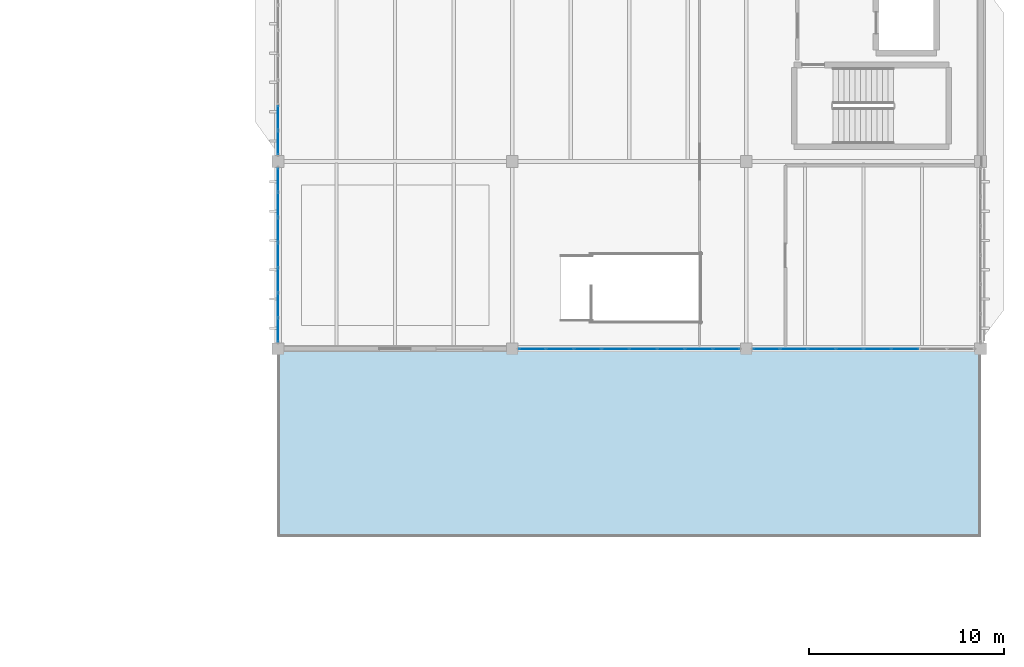
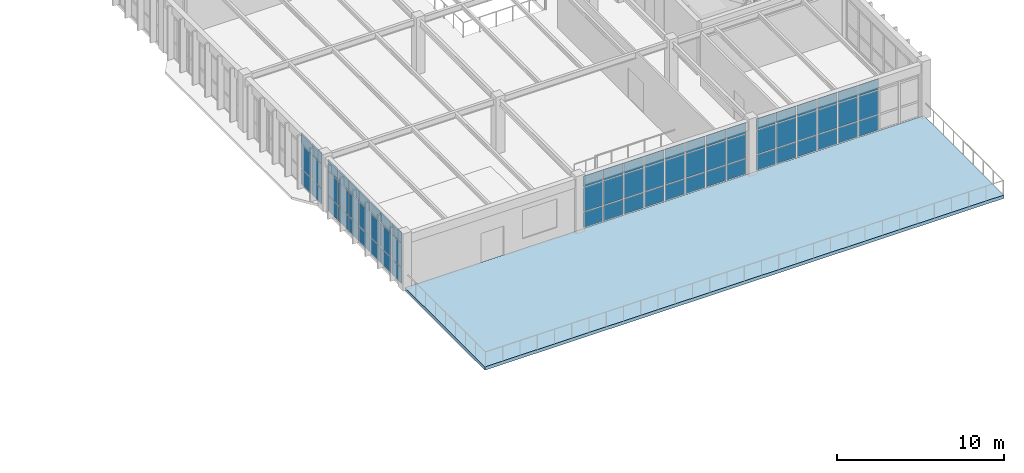
# One storey, part 63 of 83: 69 plates, 1 slab, 4 elements without a shape of their own.
"""IFC4 building model written with IfcOpenShell, lengths in metres."""

from ifc_helpers import new_model, si_unit, direction, frame, origin, origin_2d, place, context, subcontext, project, spatial, polyline, rectangle, outline, extrude, material, layer, layer_set, type_object, element, aggregate, save


model = new_model("IFC4")

# Units and contexts
model_context = context("Model", 3, precision=1e-05, world=origin(), true_north=direction((0.0, 1.0)))
body_context = subcontext(model_context, "Body", "Model", "MODEL_VIEW")
ifc_project = project(units=[si_unit("LENGTHUNIT", "METRE"), si_unit("AREAUNIT", "SQUARE_METRE"), si_unit("VOLUMEUNIT", "CUBIC_METRE"), si_unit("PLANEANGLEUNIT", "RADIAN"), si_unit("MASSUNIT", "GRAM", prefix="KILO")], contexts=[model_context])

# Site, building, storey
site_placement = place(None, origin())
site = spatial("IfcSite", under=ifc_project, at=site_placement, CompositionType="ELEMENT")
building_placement = place(site_placement, origin())
building = spatial("IfcBuilding", under=site, at=building_placement, Name="Pandanus Reach Market Hall", CompositionType="ELEMENT")
storey_placement = place(building_placement, frame((0.0, 0.0, 10.199951171875)))
storey = spatial("IfcBuildingStorey", under=building, at=storey_placement, Name="L02", CompositionType="ELEMENT", Elevation=10.199951171875)

# Curtain wall, plates
ifc_material_1 = material(Name="Bronze anodised aluminium and low-E glass", Category="aluminium")
ifc_layer_1 = layer(ifc_material_1, 0.159912109375, Name="CW-30")
ifc_layer_set_1 = layer_set([ifc_layer_1], Name="Bronze anodised aluminium and low-E glass")
curtain_wall_type_1 = type_object("IfcCurtainWallType", Name="CW-30", PredefinedType="NOTDEFINED", material=ifc_layer_set_1)
curtain_wall_1_placement = place(storey_placement, origin())
curtain_wall_1 = element("IfcCurtainWall", 1, at=curtain_wall_1_placement, inside=storey, type_object=curtain_wall_type_1, Name="Glazed curtain wall CW-30 CW-0100", PredefinedType="NOTDEFINED")
ifc_material_2 = material(Name="Solar-control double glazing", Category="glass")
ifc_layer_2 = layer(ifc_material_2, 0.028076171875, Name="CW-P1")
ifc_layer_set_2 = layer_set([ifc_layer_2], Name="Solar-control double glazing")
plate_type = type_object("IfcPlateType", Name="CW-P1", PredefinedType="CURTAIN_PANEL", material=ifc_layer_set_2)
plate_1_placement = place(storey_placement, frame((157.02880859375, 19.199951171875, 0.06494140625), z_axis=(0.0, 0.0, 1.0), x_axis=(1.0, 0.0, 0.0)))
plate_1 = element("IfcPlate", 2, at=plate_1_placement, type_object=plate_type, Name="CW-30 panel 1.1", PredefinedType="CURTAIN_PANEL", context=body_context, shape_type="SweptSolid", body=[
    extrude(rectangle(XDim=1.327392578125, YDim=0.028076171875, at=origin_2d()), origin(), (0.0, 0.0, 1.0), 1.1025390625),
])
plate_2_placement = place(storey_placement, frame((157.02880859375, 19.199951171875, 1.232421875), z_axis=(0.0, 0.0, 1.0), x_axis=(1.0, 0.0, 0.0)))
plate_2 = element("IfcPlate", 3, at=plate_2_placement, type_object=plate_type, Name="CW-30 panel 1.2", PredefinedType="CURTAIN_PANEL", context=body_context, shape_type="SweptSolid", body=[
    extrude(rectangle(XDim=1.327392578125, YDim=0.028076171875, at=origin_2d()), origin(), (0.0, 0.0, 1.0), 1.735107421875),
])
plate_3_placement = place(storey_placement, frame((157.02880859375, 19.199951171875, 3.03271484375), z_axis=(0.0, 0.0, 1.0), x_axis=(1.0, 0.0, 0.0)))
plate_3 = element("IfcPlate", 4, at=plate_3_placement, type_object=plate_type, Name="CW-30 panel 1.3", PredefinedType="CURTAIN_PANEL", context=body_context, shape_type="SweptSolid", body=[
    extrude(rectangle(XDim=1.327392578125, YDim=0.028076171875, at=origin_2d()), origin(), (0.0, 0.0, 1.0), 0.802490234375),
])
plate_4_placement = place(storey_placement, frame((158.4375, 19.199951171875, 0.06494140625), z_axis=(0.0, 0.0, 1.0), x_axis=(1.0, 0.0, 0.0)))
plate_4 = element("IfcPlate", 5, at=plate_4_placement, type_object=plate_type, Name="CW-30 panel 2.1", PredefinedType="CURTAIN_PANEL", context=body_context, shape_type="SweptSolid", body=[
    extrude(rectangle(XDim=1.360107421875, YDim=0.028076171875, at=origin_2d()), origin(), (0.0, 0.0, 1.0), 1.1025390625),
])
plate_5_placement = place(storey_placement, frame((158.4375, 19.199951171875, 1.232421875), z_axis=(0.0, 0.0, 1.0), x_axis=(1.0, 0.0, 0.0)))
plate_5 = element("IfcPlate", 6, at=plate_5_placement, type_object=plate_type, Name="CW-30 panel 2.2", PredefinedType="CURTAIN_PANEL", context=body_context, shape_type="SweptSolid", body=[
    extrude(rectangle(XDim=1.360107421875, YDim=0.028076171875, at=origin_2d()), origin(), (0.0, 0.0, 1.0), 1.735107421875),
])
plate_6_placement = place(storey_placement, frame((158.4375, 19.199951171875, 3.03271484375), z_axis=(0.0, 0.0, 1.0), x_axis=(1.0, 0.0, 0.0)))
plate_6 = element("IfcPlate", 7, at=plate_6_placement, type_object=plate_type, Name="CW-30 panel 2.3", PredefinedType="CURTAIN_PANEL", context=body_context, shape_type="SweptSolid", body=[
    extrude(rectangle(XDim=1.360107421875, YDim=0.028076171875, at=origin_2d()), origin(), (0.0, 0.0, 1.0), 0.802490234375),
])
plate_7_placement = place(storey_placement, frame((159.862548828125, 19.199951171875, 0.06494140625), z_axis=(0.0, 0.0, 1.0), x_axis=(1.0, 0.0, 0.0)))
plate_7 = element("IfcPlate", 8, at=plate_7_placement, type_object=plate_type, Name="CW-30 panel 3.1", PredefinedType="CURTAIN_PANEL", context=body_context, shape_type="SweptSolid", body=[
    extrude(rectangle(XDim=1.360107421875, YDim=0.028076171875, at=origin_2d()), origin(), (0.0, 0.0, 1.0), 1.1025390625),
])
plate_8_placement = place(storey_placement, frame((159.862548828125, 19.199951171875, 1.232421875), z_axis=(0.0, 0.0, 1.0), x_axis=(1.0, 0.0, 0.0)))
plate_8 = element("IfcPlate", 9, at=plate_8_placement, type_object=plate_type, Name="CW-30 panel 3.2", PredefinedType="CURTAIN_PANEL", context=body_context, shape_type="SweptSolid", body=[
    extrude(rectangle(XDim=1.360107421875, YDim=0.028076171875, at=origin_2d()), origin(), (0.0, 0.0, 1.0), 1.735107421875),
])
plate_9_placement = place(storey_placement, frame((159.862548828125, 19.199951171875, 3.03271484375), z_axis=(0.0, 0.0, 1.0), x_axis=(1.0, 0.0, 0.0)))
plate_9 = element("IfcPlate", 10, at=plate_9_placement, type_object=plate_type, Name="CW-30 panel 3.3", PredefinedType="CURTAIN_PANEL", context=body_context, shape_type="SweptSolid", body=[
    extrude(rectangle(XDim=1.360107421875, YDim=0.028076171875, at=origin_2d()), origin(), (0.0, 0.0, 1.0), 0.802490234375),
])
plate_10_placement = place(storey_placement, frame((161.28759765625, 19.199951171875, 0.06494140625), z_axis=(0.0, 0.0, 1.0), x_axis=(1.0, 0.0, 0.0)))
plate_10 = element("IfcPlate", 11, at=plate_10_placement, type_object=plate_type, Name="CW-30 panel 4.1", PredefinedType="CURTAIN_PANEL", context=body_context, shape_type="SweptSolid", body=[
    extrude(rectangle(XDim=1.360107421875, YDim=0.028076171875, at=origin_2d()), origin(), (0.0, 0.0, 1.0), 1.1025390625),
])
plate_11_placement = place(storey_placement, frame((161.28759765625, 19.199951171875, 1.232421875), z_axis=(0.0, 0.0, 1.0), x_axis=(1.0, 0.0, 0.0)))
plate_11 = element("IfcPlate", 12, at=plate_11_placement, type_object=plate_type, Name="CW-30 panel 4.2", PredefinedType="CURTAIN_PANEL", context=body_context, shape_type="SweptSolid", body=[
    extrude(rectangle(XDim=1.360107421875, YDim=0.028076171875, at=origin_2d()), origin(), (0.0, 0.0, 1.0), 1.735107421875),
])
plate_12_placement = place(storey_placement, frame((161.28759765625, 19.199951171875, 3.03271484375), z_axis=(0.0, 0.0, 1.0), x_axis=(1.0, 0.0, 0.0)))
plate_12 = element("IfcPlate", 13, at=plate_12_placement, type_object=plate_type, Name="CW-30 panel 4.3", PredefinedType="CURTAIN_PANEL", context=body_context, shape_type="SweptSolid", body=[
    extrude(rectangle(XDim=1.360107421875, YDim=0.028076171875, at=origin_2d()), origin(), (0.0, 0.0, 1.0), 0.802490234375),
])
plate_13_placement = place(storey_placement, frame((162.71240234375, 19.199951171875, 0.06494140625), z_axis=(0.0, 0.0, 1.0), x_axis=(1.0, 0.0, 0.0)))
plate_13 = element("IfcPlate", 14, at=plate_13_placement, type_object=plate_type, Name="CW-30 panel 5.1", PredefinedType="CURTAIN_PANEL", context=body_context, shape_type="SweptSolid", body=[
    extrude(rectangle(XDim=1.360107421875, YDim=0.028076171875, at=origin_2d()), origin(), (0.0, 0.0, 1.0), 1.1025390625),
])
plate_14_placement = place(storey_placement, frame((162.71240234375, 19.199951171875, 1.232421875), z_axis=(0.0, 0.0, 1.0), x_axis=(1.0, 0.0, 0.0)))
plate_14 = element("IfcPlate", 15, at=plate_14_placement, type_object=plate_type, Name="CW-30 panel 5.2", PredefinedType="CURTAIN_PANEL", context=body_context, shape_type="SweptSolid", body=[
    extrude(rectangle(XDim=1.360107421875, YDim=0.028076171875, at=origin_2d()), origin(), (0.0, 0.0, 1.0), 1.735107421875),
])
plate_15_placement = place(storey_placement, frame((162.71240234375, 19.199951171875, 3.03271484375), z_axis=(0.0, 0.0, 1.0), x_axis=(1.0, 0.0, 0.0)))
plate_15 = element("IfcPlate", 16, at=plate_15_placement, type_object=plate_type, Name="CW-30 panel 5.3", PredefinedType="CURTAIN_PANEL", context=body_context, shape_type="SweptSolid", body=[
    extrude(rectangle(XDim=1.360107421875, YDim=0.028076171875, at=origin_2d()), origin(), (0.0, 0.0, 1.0), 0.802490234375),
])
plate_16_placement = place(storey_placement, frame((164.137451171875, 19.199951171875, 0.06494140625), z_axis=(0.0, 0.0, 1.0), x_axis=(1.0, 0.0, 0.0)))
plate_16 = element("IfcPlate", 17, at=plate_16_placement, type_object=plate_type, Name="CW-30 panel 6.1", PredefinedType="CURTAIN_PANEL", context=body_context, shape_type="SweptSolid", body=[
    extrude(rectangle(XDim=1.360107421875, YDim=0.028076171875, at=origin_2d()), origin(), (0.0, 0.0, 1.0), 1.1025390625),
])
plate_17_placement = place(storey_placement, frame((164.137451171875, 19.199951171875, 1.232421875), z_axis=(0.0, 0.0, 1.0), x_axis=(1.0, 0.0, 0.0)))
plate_17 = element("IfcPlate", 18, at=plate_17_placement, type_object=plate_type, Name="CW-30 panel 6.2", PredefinedType="CURTAIN_PANEL", context=body_context, shape_type="SweptSolid", body=[
    extrude(rectangle(XDim=1.360107421875, YDim=0.028076171875, at=origin_2d()), origin(), (0.0, 0.0, 1.0), 1.735107421875),
])
plate_18_placement = place(storey_placement, frame((164.137451171875, 19.199951171875, 3.03271484375), z_axis=(0.0, 0.0, 1.0), x_axis=(1.0, 0.0, 0.0)))
plate_18 = element("IfcPlate", 19, at=plate_18_placement, type_object=plate_type, Name="CW-30 panel 6.3", PredefinedType="CURTAIN_PANEL", context=body_context, shape_type="SweptSolid", body=[
    extrude(rectangle(XDim=1.360107421875, YDim=0.028076171875, at=origin_2d()), origin(), (0.0, 0.0, 1.0), 0.802490234375),
])
plate_19_placement = place(storey_placement, frame((165.5625, 19.199951171875, 0.06494140625), z_axis=(0.0, 0.0, 1.0), x_axis=(1.0, 0.0, 0.0)))
plate_19 = element("IfcPlate", 20, at=plate_19_placement, type_object=plate_type, Name="CW-30 panel 7.1", PredefinedType="CURTAIN_PANEL", context=body_context, shape_type="SweptSolid", body=[
    extrude(rectangle(XDim=1.360107421875, YDim=0.028076171875, at=origin_2d()), origin(), (0.0, 0.0, 1.0), 1.1025390625),
])
plate_20_placement = place(storey_placement, frame((165.5625, 19.199951171875, 1.232421875), z_axis=(0.0, 0.0, 1.0), x_axis=(1.0, 0.0, 0.0)))
plate_20 = element("IfcPlate", 21, at=plate_20_placement, type_object=plate_type, Name="CW-30 panel 7.2", PredefinedType="CURTAIN_PANEL", context=body_context, shape_type="SweptSolid", body=[
    extrude(rectangle(XDim=1.360107421875, YDim=0.028076171875, at=origin_2d()), origin(), (0.0, 0.0, 1.0), 1.735107421875),
])
plate_21_placement = place(storey_placement, frame((165.5625, 19.199951171875, 3.03271484375), z_axis=(0.0, 0.0, 1.0), x_axis=(1.0, 0.0, 0.0)))
plate_21 = element("IfcPlate", 22, at=plate_21_placement, type_object=plate_type, Name="CW-30 panel 7.3", PredefinedType="CURTAIN_PANEL", context=body_context, shape_type="SweptSolid", body=[
    extrude(rectangle(XDim=1.360107421875, YDim=0.028076171875, at=origin_2d()), origin(), (0.0, 0.0, 1.0), 0.802490234375),
])
plate_22_placement = place(storey_placement, frame((166.97119140625, 19.199951171875, 0.06494140625), z_axis=(0.0, 0.0, 1.0), x_axis=(1.0, 0.0, 0.0)))
plate_22 = element("IfcPlate", 23, at=plate_22_placement, type_object=plate_type, Name="CW-30 panel 8.1", PredefinedType="CURTAIN_PANEL", context=body_context, shape_type="SweptSolid", body=[
    extrude(rectangle(XDim=1.327392578125, YDim=0.028076171875, at=origin_2d()), origin(), (0.0, 0.0, 1.0), 1.1025390625),
])
plate_23_placement = place(storey_placement, frame((166.97119140625, 19.199951171875, 1.232421875), z_axis=(0.0, 0.0, 1.0), x_axis=(1.0, 0.0, 0.0)))
plate_23 = element("IfcPlate", 24, at=plate_23_placement, type_object=plate_type, Name="CW-30 panel 8.2", PredefinedType="CURTAIN_PANEL", context=body_context, shape_type="SweptSolid", body=[
    extrude(rectangle(XDim=1.327392578125, YDim=0.028076171875, at=origin_2d()), origin(), (0.0, 0.0, 1.0), 1.735107421875),
])
plate_24_placement = place(storey_placement, frame((166.97119140625, 19.199951171875, 3.03271484375), z_axis=(0.0, 0.0, 1.0), x_axis=(1.0, 0.0, 0.0)))
plate_24 = element("IfcPlate", 25, at=plate_24_placement, type_object=plate_type, Name="CW-30 panel 8.3", PredefinedType="CURTAIN_PANEL", context=body_context, shape_type="SweptSolid", body=[
    extrude(rectangle(XDim=1.327392578125, YDim=0.028076171875, at=origin_2d()), origin(), (0.0, 0.0, 1.0), 0.802490234375),
])
aggregate(curtain_wall_1, [plate_1, plate_2, plate_3, plate_4, plate_5, plate_6, plate_7, plate_8, plate_9, plate_10, plate_11, plate_12, plate_13, plate_14, plate_15, plate_16, plate_17, plate_18, plate_19, plate_20, plate_21, plate_22, plate_23, plate_24])

curtain_wall_2_placement = place(storey_placement, origin())
curtain_wall_2 = element("IfcCurtainWall", 26, at=curtain_wall_2_placement, inside=storey, type_object=curtain_wall_type_1, Name="Glazed curtain wall CW-30 CW-0101", PredefinedType="NOTDEFINED")
plate_25_placement = place(storey_placement, frame((169.02880859375, 19.199951171875, 0.06494140625), z_axis=(0.0, 0.0, 1.0), x_axis=(1.0, 0.0, 0.0)))
plate_25 = element("IfcPlate", 27, at=plate_25_placement, type_object=plate_type, Name="CW-30 panel 1.1", PredefinedType="CURTAIN_PANEL", context=body_context, shape_type="SweptSolid", body=[
    extrude(rectangle(XDim=1.327392578125, YDim=0.028076171875, at=origin_2d()), origin(), (0.0, 0.0, 1.0), 1.1025390625),
])
plate_26_placement = place(storey_placement, frame((169.02880859375, 19.199951171875, 1.232421875), z_axis=(0.0, 0.0, 1.0), x_axis=(1.0, 0.0, 0.0)))
plate_26 = element("IfcPlate", 28, at=plate_26_placement, type_object=plate_type, Name="CW-30 panel 1.2", PredefinedType="CURTAIN_PANEL", context=body_context, shape_type="SweptSolid", body=[
    extrude(rectangle(XDim=1.327392578125, YDim=0.028076171875, at=origin_2d()), origin(), (0.0, 0.0, 1.0), 1.735107421875),
])
plate_27_placement = place(storey_placement, frame((169.02880859375, 19.199951171875, 3.03271484375), z_axis=(0.0, 0.0, 1.0), x_axis=(1.0, 0.0, 0.0)))
plate_27 = element("IfcPlate", 29, at=plate_27_placement, type_object=plate_type, Name="CW-30 panel 1.3", PredefinedType="CURTAIN_PANEL", context=body_context, shape_type="SweptSolid", body=[
    extrude(rectangle(XDim=1.327392578125, YDim=0.028076171875, at=origin_2d()), origin(), (0.0, 0.0, 1.0), 0.802490234375),
])
plate_28_placement = place(storey_placement, frame((170.4375, 19.199951171875, 0.06494140625), z_axis=(0.0, 0.0, 1.0), x_axis=(1.0, 0.0, 0.0)))
plate_28 = element("IfcPlate", 30, at=plate_28_placement, type_object=plate_type, Name="CW-30 panel 2.1", PredefinedType="CURTAIN_PANEL", context=body_context, shape_type="SweptSolid", body=[
    extrude(rectangle(XDim=1.360107421875, YDim=0.028076171875, at=origin_2d()), origin(), (0.0, 0.0, 1.0), 1.1025390625),
])
plate_29_placement = place(storey_placement, frame((170.4375, 19.199951171875, 1.232421875), z_axis=(0.0, 0.0, 1.0), x_axis=(1.0, 0.0, 0.0)))
plate_29 = element("IfcPlate", 31, at=plate_29_placement, type_object=plate_type, Name="CW-30 panel 2.2", PredefinedType="CURTAIN_PANEL", context=body_context, shape_type="SweptSolid", body=[
    extrude(rectangle(XDim=1.360107421875, YDim=0.028076171875, at=origin_2d()), origin(), (0.0, 0.0, 1.0), 1.735107421875),
])
plate_30_placement = place(storey_placement, frame((170.4375, 19.199951171875, 3.03271484375), z_axis=(0.0, 0.0, 1.0), x_axis=(1.0, 0.0, 0.0)))
plate_30 = element("IfcPlate", 32, at=plate_30_placement, type_object=plate_type, Name="CW-30 panel 2.3", PredefinedType="CURTAIN_PANEL", context=body_context, shape_type="SweptSolid", body=[
    extrude(rectangle(XDim=1.360107421875, YDim=0.028076171875, at=origin_2d()), origin(), (0.0, 0.0, 1.0), 0.802490234375),
])
plate_31_placement = place(storey_placement, frame((171.862548828125, 19.199951171875, 0.06494140625), z_axis=(0.0, 0.0, 1.0), x_axis=(1.0, 0.0, 0.0)))
plate_31 = element("IfcPlate", 33, at=plate_31_placement, type_object=plate_type, Name="CW-30 panel 3.1", PredefinedType="CURTAIN_PANEL", context=body_context, shape_type="SweptSolid", body=[
    extrude(rectangle(XDim=1.360107421875, YDim=0.028076171875, at=origin_2d()), origin(), (0.0, 0.0, 1.0), 1.1025390625),
])
plate_32_placement = place(storey_placement, frame((171.862548828125, 19.199951171875, 1.232421875), z_axis=(0.0, 0.0, 1.0), x_axis=(1.0, 0.0, 0.0)))
plate_32 = element("IfcPlate", 34, at=plate_32_placement, type_object=plate_type, Name="CW-30 panel 3.2", PredefinedType="CURTAIN_PANEL", context=body_context, shape_type="SweptSolid", body=[
    extrude(rectangle(XDim=1.360107421875, YDim=0.028076171875, at=origin_2d()), origin(), (0.0, 0.0, 1.0), 1.735107421875),
])
plate_33_placement = place(storey_placement, frame((171.862548828125, 19.199951171875, 3.03271484375), z_axis=(0.0, 0.0, 1.0), x_axis=(1.0, 0.0, 0.0)))
plate_33 = element("IfcPlate", 35, at=plate_33_placement, type_object=plate_type, Name="CW-30 panel 3.3", PredefinedType="CURTAIN_PANEL", context=body_context, shape_type="SweptSolid", body=[
    extrude(rectangle(XDim=1.360107421875, YDim=0.028076171875, at=origin_2d()), origin(), (0.0, 0.0, 1.0), 0.802490234375),
])
plate_34_placement = place(storey_placement, frame((173.28759765625, 19.199951171875, 0.06494140625), z_axis=(0.0, 0.0, 1.0), x_axis=(1.0, 0.0, 0.0)))
plate_34 = element("IfcPlate", 36, at=plate_34_placement, type_object=plate_type, Name="CW-30 panel 4.1", PredefinedType="CURTAIN_PANEL", context=body_context, shape_type="SweptSolid", body=[
    extrude(rectangle(XDim=1.360107421875, YDim=0.028076171875, at=origin_2d()), origin(), (0.0, 0.0, 1.0), 1.1025390625),
])
plate_35_placement = place(storey_placement, frame((173.28759765625, 19.199951171875, 1.232421875), z_axis=(0.0, 0.0, 1.0), x_axis=(1.0, 0.0, 0.0)))
plate_35 = element("IfcPlate", 37, at=plate_35_placement, type_object=plate_type, Name="CW-30 panel 4.2", PredefinedType="CURTAIN_PANEL", context=body_context, shape_type="SweptSolid", body=[
    extrude(rectangle(XDim=1.360107421875, YDim=0.028076171875, at=origin_2d()), origin(), (0.0, 0.0, 1.0), 1.735107421875),
])
plate_36_placement = place(storey_placement, frame((173.28759765625, 19.199951171875, 3.03271484375), z_axis=(0.0, 0.0, 1.0), x_axis=(1.0, 0.0, 0.0)))
plate_36 = element("IfcPlate", 38, at=plate_36_placement, type_object=plate_type, Name="CW-30 panel 4.3", PredefinedType="CURTAIN_PANEL", context=body_context, shape_type="SweptSolid", body=[
    extrude(rectangle(XDim=1.360107421875, YDim=0.028076171875, at=origin_2d()), origin(), (0.0, 0.0, 1.0), 0.802490234375),
])
plate_37_placement = place(storey_placement, frame((174.71240234375, 19.199951171875, 0.06494140625), z_axis=(0.0, 0.0, 1.0), x_axis=(1.0, 0.0, 0.0)))
plate_37 = element("IfcPlate", 39, at=plate_37_placement, type_object=plate_type, Name="CW-30 panel 5.1", PredefinedType="CURTAIN_PANEL", context=body_context, shape_type="SweptSolid", body=[
    extrude(rectangle(XDim=1.360107421875, YDim=0.028076171875, at=origin_2d()), origin(), (0.0, 0.0, 1.0), 1.1025390625),
])
plate_38_placement = place(storey_placement, frame((174.71240234375, 19.199951171875, 1.232421875), z_axis=(0.0, 0.0, 1.0), x_axis=(1.0, 0.0, 0.0)))
plate_38 = element("IfcPlate", 40, at=plate_38_placement, type_object=plate_type, Name="CW-30 panel 5.2", PredefinedType="CURTAIN_PANEL", context=body_context, shape_type="SweptSolid", body=[
    extrude(rectangle(XDim=1.360107421875, YDim=0.028076171875, at=origin_2d()), origin(), (0.0, 0.0, 1.0), 1.735107421875),
])
plate_39_placement = place(storey_placement, frame((174.71240234375, 19.199951171875, 3.03271484375), z_axis=(0.0, 0.0, 1.0), x_axis=(1.0, 0.0, 0.0)))
plate_39 = element("IfcPlate", 41, at=plate_39_placement, type_object=plate_type, Name="CW-30 panel 5.3", PredefinedType="CURTAIN_PANEL", context=body_context, shape_type="SweptSolid", body=[
    extrude(rectangle(XDim=1.360107421875, YDim=0.028076171875, at=origin_2d()), origin(), (0.0, 0.0, 1.0), 0.802490234375),
])
plate_40_placement = place(storey_placement, frame((176.137451171875, 19.199951171875, 0.06494140625), z_axis=(0.0, 0.0, 1.0), x_axis=(1.0, 0.0, 0.0)))
plate_40 = element("IfcPlate", 42, at=plate_40_placement, type_object=plate_type, Name="CW-30 panel 6.1", PredefinedType="CURTAIN_PANEL", context=body_context, shape_type="SweptSolid", body=[
    extrude(rectangle(XDim=1.360107421875, YDim=0.028076171875, at=origin_2d()), origin(), (0.0, 0.0, 1.0), 1.1025390625),
])
plate_41_placement = place(storey_placement, frame((176.137451171875, 19.199951171875, 1.232421875), z_axis=(0.0, 0.0, 1.0), x_axis=(1.0, 0.0, 0.0)))
plate_41 = element("IfcPlate", 43, at=plate_41_placement, type_object=plate_type, Name="CW-30 panel 6.2", PredefinedType="CURTAIN_PANEL", context=body_context, shape_type="SweptSolid", body=[
    extrude(rectangle(XDim=1.360107421875, YDim=0.028076171875, at=origin_2d()), origin(), (0.0, 0.0, 1.0), 1.735107421875),
])
plate_42_placement = place(storey_placement, frame((176.137451171875, 19.199951171875, 3.03271484375), z_axis=(0.0, 0.0, 1.0), x_axis=(1.0, 0.0, 0.0)))
plate_42 = element("IfcPlate", 44, at=plate_42_placement, type_object=plate_type, Name="CW-30 panel 6.3", PredefinedType="CURTAIN_PANEL", context=body_context, shape_type="SweptSolid", body=[
    extrude(rectangle(XDim=1.360107421875, YDim=0.028076171875, at=origin_2d()), origin(), (0.0, 0.0, 1.0), 0.802490234375),
])
aggregate(curtain_wall_2, [plate_25, plate_26, plate_27, plate_28, plate_29, plate_30, plate_31, plate_32, plate_33, plate_34, plate_35, plate_36, plate_37, plate_38, plate_39, plate_40, plate_41, plate_42])

ifc_layer_3 = layer(ifc_material_1, 0.159912109375, Name="CW-33")
ifc_layer_set_3 = layer_set([ifc_layer_3], Name="Bronze anodised aluminium and low-E glass")
curtain_wall_type_2 = type_object("IfcCurtainWallType", Name="CW-33", PredefinedType="NOTDEFINED", material=ifc_layer_set_3)
curtain_wall_3_placement = place(storey_placement, origin())
curtain_wall_3 = element("IfcCurtainWall", 45, at=curtain_wall_3_placement, inside=storey, type_object=curtain_wall_type_2, Name="Glazed curtain wall CW-33 CW-0109", PredefinedType="NOTDEFINED")
plate_43_placement = place(storey_placement, frame((144.0, 20.1591796875, 0.06494140625), z_axis=(0.0, 0.0, 1.0), x_axis=(0.0, 1.0, 0.0)))
plate_43 = element("IfcPlate", 46, at=plate_43_placement, type_object=plate_type, Name="CW-33 panel 1.1", PredefinedType="CURTAIN_PANEL", context=body_context, shape_type="SweptSolid", body=[
    extrude(rectangle(XDim=1.188232421875, YDim=0.028076171875, at=origin_2d()), origin(), (0.0, 0.0, 1.0), 1.1025390625),
])
plate_44_placement = place(storey_placement, frame((144.0, 20.1591796875, 1.232421875), z_axis=(0.0, 0.0, 1.0), x_axis=(0.0, 1.0, 0.0)))
plate_44 = element("IfcPlate", 47, at=plate_44_placement, type_object=plate_type, Name="CW-33 panel 1.2", PredefinedType="CURTAIN_PANEL", context=body_context, shape_type="SweptSolid", body=[
    extrude(rectangle(XDim=1.188232421875, YDim=0.028076171875, at=origin_2d()), origin(), (0.0, 0.0, 1.0), 1.735107421875),
])
plate_45_placement = place(storey_placement, frame((144.0, 20.1591796875, 3.03271484375), z_axis=(0.0, 0.0, 1.0), x_axis=(0.0, 1.0, 0.0)))
plate_45 = element("IfcPlate", 48, at=plate_45_placement, type_object=plate_type, Name="CW-33 panel 1.3", PredefinedType="CURTAIN_PANEL", context=body_context, shape_type="SweptSolid", body=[
    extrude(rectangle(XDim=1.188232421875, YDim=0.028076171875, at=origin_2d()), origin(), (0.0, 0.0, 1.0), 0.802490234375),
])
plate_46_placement = place(storey_placement, frame((144.0, 21.428466796875, 0.06494140625), z_axis=(0.0, 0.0, 1.0), x_axis=(0.0, 1.0, 0.0)))
plate_46 = element("IfcPlate", 49, at=plate_46_placement, type_object=plate_type, Name="CW-33 panel 2.1", PredefinedType="CURTAIN_PANEL", context=body_context, shape_type="SweptSolid", body=[
    extrude(rectangle(XDim=1.220703125, YDim=0.028076171875, at=origin_2d()), origin(), (0.0, 0.0, 1.0), 1.1025390625),
])
plate_47_placement = place(storey_placement, frame((144.0, 21.428466796875, 1.232421875), z_axis=(0.0, 0.0, 1.0), x_axis=(0.0, 1.0, 0.0)))
plate_47 = element("IfcPlate", 50, at=plate_47_placement, type_object=plate_type, Name="CW-33 panel 2.2", PredefinedType="CURTAIN_PANEL", context=body_context, shape_type="SweptSolid", body=[
    extrude(rectangle(XDim=1.220703125, YDim=0.028076171875, at=origin_2d()), origin(), (0.0, 0.0, 1.0), 1.735107421875),
])
plate_48_placement = place(storey_placement, frame((144.0, 21.428466796875, 3.03271484375), z_axis=(0.0, 0.0, 1.0), x_axis=(0.0, 1.0, 0.0)))
plate_48 = element("IfcPlate", 51, at=plate_48_placement, type_object=plate_type, Name="CW-33 panel 2.3", PredefinedType="CURTAIN_PANEL", context=body_context, shape_type="SweptSolid", body=[
    extrude(rectangle(XDim=1.220703125, YDim=0.028076171875, at=origin_2d()), origin(), (0.0, 0.0, 1.0), 0.802490234375),
])
plate_49_placement = place(storey_placement, frame((144.0, 22.71435546875, 0.06494140625), z_axis=(0.0, 0.0, 1.0), x_axis=(0.0, 1.0, 0.0)))
plate_49 = element("IfcPlate", 52, at=plate_49_placement, type_object=plate_type, Name="CW-33 panel 3.1", PredefinedType="CURTAIN_PANEL", context=body_context, shape_type="SweptSolid", body=[
    extrude(rectangle(XDim=1.220703125, YDim=0.028076171875, at=origin_2d()), origin(), (0.0, 0.0, 1.0), 1.1025390625),
])
plate_50_placement = place(storey_placement, frame((144.0, 22.71435546875, 1.232421875), z_axis=(0.0, 0.0, 1.0), x_axis=(0.0, 1.0, 0.0)))
plate_50 = element("IfcPlate", 53, at=plate_50_placement, type_object=plate_type, Name="CW-33 panel 3.2", PredefinedType="CURTAIN_PANEL", context=body_context, shape_type="SweptSolid", body=[
    extrude(rectangle(XDim=1.220703125, YDim=0.028076171875, at=origin_2d()), origin(), (0.0, 0.0, 1.0), 1.735107421875),
])
plate_51_placement = place(storey_placement, frame((144.0, 22.71435546875, 3.03271484375), z_axis=(0.0, 0.0, 1.0), x_axis=(0.0, 1.0, 0.0)))
plate_51 = element("IfcPlate", 54, at=plate_51_placement, type_object=plate_type, Name="CW-33 panel 3.3", PredefinedType="CURTAIN_PANEL", context=body_context, shape_type="SweptSolid", body=[
    extrude(rectangle(XDim=1.220703125, YDim=0.028076171875, at=origin_2d()), origin(), (0.0, 0.0, 1.0), 0.802490234375),
])
plate_52_placement = place(storey_placement, frame((144.0, 24.0, 0.06494140625), z_axis=(0.0, 0.0, 1.0), x_axis=(0.0, 1.0, 0.0)))
plate_52 = element("IfcPlate", 55, at=plate_52_placement, type_object=plate_type, Name="CW-33 panel 4.1", PredefinedType="CURTAIN_PANEL", context=body_context, shape_type="SweptSolid", body=[
    extrude(rectangle(XDim=1.220703125, YDim=0.028076171875, at=origin_2d()), origin(), (0.0, 0.0, 1.0), 1.1025390625),
])
plate_53_placement = place(storey_placement, frame((144.0, 24.0, 1.232421875), z_axis=(0.0, 0.0, 1.0), x_axis=(0.0, 1.0, 0.0)))
plate_53 = element("IfcPlate", 56, at=plate_53_placement, type_object=plate_type, Name="CW-33 panel 4.2", PredefinedType="CURTAIN_PANEL", context=body_context, shape_type="SweptSolid", body=[
    extrude(rectangle(XDim=1.220703125, YDim=0.028076171875, at=origin_2d()), origin(), (0.0, 0.0, 1.0), 1.735107421875),
])
plate_54_placement = place(storey_placement, frame((144.0, 24.0, 3.03271484375), z_axis=(0.0, 0.0, 1.0), x_axis=(0.0, 1.0, 0.0)))
plate_54 = element("IfcPlate", 57, at=plate_54_placement, type_object=plate_type, Name="CW-33 panel 4.3", PredefinedType="CURTAIN_PANEL", context=body_context, shape_type="SweptSolid", body=[
    extrude(rectangle(XDim=1.220703125, YDim=0.028076171875, at=origin_2d()), origin(), (0.0, 0.0, 1.0), 0.802490234375),
])
plate_55_placement = place(storey_placement, frame((144.0, 25.28564453125, 0.06494140625), z_axis=(0.0, 0.0, 1.0), x_axis=(0.0, 1.0, 0.0)))
plate_55 = element("IfcPlate", 58, at=plate_55_placement, type_object=plate_type, Name="CW-33 panel 5.1", PredefinedType="CURTAIN_PANEL", context=body_context, shape_type="SweptSolid", body=[
    extrude(rectangle(XDim=1.220703125, YDim=0.028076171875, at=origin_2d()), origin(), (0.0, 0.0, 1.0), 1.1025390625),
])
plate_56_placement = place(storey_placement, frame((144.0, 25.28564453125, 1.232421875), z_axis=(0.0, 0.0, 1.0), x_axis=(0.0, 1.0, 0.0)))
plate_56 = element("IfcPlate", 59, at=plate_56_placement, type_object=plate_type, Name="CW-33 panel 5.2", PredefinedType="CURTAIN_PANEL", context=body_context, shape_type="SweptSolid", body=[
    extrude(rectangle(XDim=1.220703125, YDim=0.028076171875, at=origin_2d()), origin(), (0.0, 0.0, 1.0), 1.735107421875),
])
plate_57_placement = place(storey_placement, frame((144.0, 25.28564453125, 3.03271484375), z_axis=(0.0, 0.0, 1.0), x_axis=(0.0, 1.0, 0.0)))
plate_57 = element("IfcPlate", 60, at=plate_57_placement, type_object=plate_type, Name="CW-33 panel 5.3", PredefinedType="CURTAIN_PANEL", context=body_context, shape_type="SweptSolid", body=[
    extrude(rectangle(XDim=1.220703125, YDim=0.028076171875, at=origin_2d()), origin(), (0.0, 0.0, 1.0), 0.802490234375),
])
plate_58_placement = place(storey_placement, frame((144.0, 26.571533203125, 0.06494140625), z_axis=(0.0, 0.0, 1.0), x_axis=(0.0, 1.0, 0.0)))
plate_58 = element("IfcPlate", 61, at=plate_58_placement, type_object=plate_type, Name="CW-33 panel 6.1", PredefinedType="CURTAIN_PANEL", context=body_context, shape_type="SweptSolid", body=[
    extrude(rectangle(XDim=1.220703125, YDim=0.028076171875, at=origin_2d()), origin(), (0.0, 0.0, 1.0), 1.1025390625),
])
plate_59_placement = place(storey_placement, frame((144.0, 26.571533203125, 1.232421875), z_axis=(0.0, 0.0, 1.0), x_axis=(0.0, 1.0, 0.0)))
plate_59 = element("IfcPlate", 62, at=plate_59_placement, type_object=plate_type, Name="CW-33 panel 6.2", PredefinedType="CURTAIN_PANEL", context=body_context, shape_type="SweptSolid", body=[
    extrude(rectangle(XDim=1.220703125, YDim=0.028076171875, at=origin_2d()), origin(), (0.0, 0.0, 1.0), 1.735107421875),
])
plate_60_placement = place(storey_placement, frame((144.0, 26.571533203125, 3.03271484375), z_axis=(0.0, 0.0, 1.0), x_axis=(0.0, 1.0, 0.0)))
plate_60 = element("IfcPlate", 63, at=plate_60_placement, type_object=plate_type, Name="CW-33 panel 6.3", PredefinedType="CURTAIN_PANEL", context=body_context, shape_type="SweptSolid", body=[
    extrude(rectangle(XDim=1.220703125, YDim=0.028076171875, at=origin_2d()), origin(), (0.0, 0.0, 1.0), 0.802490234375),
])
plate_61_placement = place(storey_placement, frame((144.0, 27.8408203125, 0.06494140625), z_axis=(0.0, 0.0, 1.0), x_axis=(0.0, 1.0, 0.0)))
plate_61 = element("IfcPlate", 64, at=plate_61_placement, type_object=plate_type, Name="CW-33 panel 7.1", PredefinedType="CURTAIN_PANEL", context=body_context, shape_type="SweptSolid", body=[
    extrude(rectangle(XDim=1.188232421875, YDim=0.028076171875, at=origin_2d()), origin(), (0.0, 0.0, 1.0), 1.1025390625),
])
plate_62_placement = place(storey_placement, frame((144.0, 27.8408203125, 1.232421875), z_axis=(0.0, 0.0, 1.0), x_axis=(0.0, 1.0, 0.0)))
plate_62 = element("IfcPlate", 65, at=plate_62_placement, type_object=plate_type, Name="CW-33 panel 7.2", PredefinedType="CURTAIN_PANEL", context=body_context, shape_type="SweptSolid", body=[
    extrude(rectangle(XDim=1.188232421875, YDim=0.028076171875, at=origin_2d()), origin(), (0.0, 0.0, 1.0), 1.735107421875),
])
plate_63_placement = place(storey_placement, frame((144.0, 27.8408203125, 3.03271484375), z_axis=(0.0, 0.0, 1.0), x_axis=(0.0, 1.0, 0.0)))
plate_63 = element("IfcPlate", 66, at=plate_63_placement, type_object=plate_type, Name="CW-33 panel 7.3", PredefinedType="CURTAIN_PANEL", context=body_context, shape_type="SweptSolid", body=[
    extrude(rectangle(XDim=1.188232421875, YDim=0.028076171875, at=origin_2d()), origin(), (0.0, 0.0, 1.0), 0.802490234375),
])
aggregate(curtain_wall_3, [plate_43, plate_44, plate_45, plate_46, plate_47, plate_48, plate_49, plate_50, plate_51, plate_52, plate_53, plate_54, plate_55, plate_56, plate_57, plate_58, plate_59, plate_60, plate_61, plate_62, plate_63])

curtain_wall_4_placement = place(storey_placement, origin())
curtain_wall_4 = element("IfcCurtainWall", 67, at=curtain_wall_4_placement, inside=storey, type_object=curtain_wall_type_2, Name="Glazed curtain wall CW-33 CW-0110", PredefinedType="NOTDEFINED")
plate_64_placement = place(storey_placement, frame((144.0, 29.759033203125, 0.06494140625), z_axis=(0.0, 0.0, 1.0), x_axis=(0.0, 1.0, 0.0)))
plate_64 = element("IfcPlate", 68, at=plate_64_placement, type_object=plate_type, Name="CW-33 panel 1.1", PredefinedType="CURTAIN_PANEL", context=body_context, shape_type="SweptSolid", body=[
    extrude(rectangle(XDim=1.188232421875, YDim=0.028076171875, at=origin_2d()), origin(), (0.0, 0.0, 1.0), 1.1025390625),
])
plate_65_placement = place(storey_placement, frame((144.0, 29.759033203125, 1.232421875), z_axis=(0.0, 0.0, 1.0), x_axis=(0.0, 1.0, 0.0)))
plate_65 = element("IfcPlate", 69, at=plate_65_placement, type_object=plate_type, Name="CW-33 panel 1.2", PredefinedType="CURTAIN_PANEL", context=body_context, shape_type="SweptSolid", body=[
    extrude(rectangle(XDim=1.188232421875, YDim=0.028076171875, at=origin_2d()), origin(), (0.0, 0.0, 1.0), 1.735107421875),
])
plate_66_placement = place(storey_placement, frame((144.0, 29.759033203125, 3.03271484375), z_axis=(0.0, 0.0, 1.0), x_axis=(0.0, 1.0, 0.0)))
plate_66 = element("IfcPlate", 70, at=plate_66_placement, type_object=plate_type, Name="CW-33 panel 1.3", PredefinedType="CURTAIN_PANEL", context=body_context, shape_type="SweptSolid", body=[
    extrude(rectangle(XDim=1.188232421875, YDim=0.028076171875, at=origin_2d()), origin(), (0.0, 0.0, 1.0), 0.802490234375),
])
plate_67_placement = place(storey_placement, frame((144.0, 31.028564453125, 0.06494140625), z_axis=(0.0, 0.0, 1.0), x_axis=(0.0, 1.0, 0.0)))
plate_67 = element("IfcPlate", 71, at=plate_67_placement, type_object=plate_type, Name="CW-33 panel 2.1", PredefinedType="CURTAIN_PANEL", context=body_context, shape_type="SweptSolid", body=[
    extrude(rectangle(XDim=1.220703125, YDim=0.028076171875, at=origin_2d()), origin(), (0.0, 0.0, 1.0), 1.1025390625),
])
plate_68_placement = place(storey_placement, frame((144.0, 31.028564453125, 1.232421875), z_axis=(0.0, 0.0, 1.0), x_axis=(0.0, 1.0, 0.0)))
plate_68 = element("IfcPlate", 72, at=plate_68_placement, type_object=plate_type, Name="CW-33 panel 2.2", PredefinedType="CURTAIN_PANEL", context=body_context, shape_type="SweptSolid", body=[
    extrude(rectangle(XDim=1.220703125, YDim=0.028076171875, at=origin_2d()), origin(), (0.0, 0.0, 1.0), 1.735107421875),
])
plate_69_placement = place(storey_placement, frame((144.0, 31.028564453125, 3.03271484375), z_axis=(0.0, 0.0, 1.0), x_axis=(0.0, 1.0, 0.0)))
plate_69 = element("IfcPlate", 73, at=plate_69_placement, type_object=plate_type, Name="CW-33 panel 2.3", PredefinedType="CURTAIN_PANEL", context=body_context, shape_type="SweptSolid", body=[
    extrude(rectangle(XDim=1.220703125, YDim=0.028076171875, at=origin_2d()), origin(), (0.0, 0.0, 1.0), 0.802490234375),
])
aggregate(curtain_wall_4, [plate_64, plate_65, plate_66, plate_67, plate_68, plate_69])

# Slab
ifc_material_3 = material(Name="Concrete N40 (40 MPa)", Category="concrete")
ifc_layer_4 = layer(ifc_material_3, 0.2451171875, Name="SL-EXT-GDN")
ifc_layer_set_4 = layer_set([ifc_layer_4], Name="Concrete N40 (40 MPa)")
slab_type = type_object("IfcSlabType", Name="SL-EXT-GDN", PredefinedType="FLOOR", material=ifc_layer_set_4)
slab_placement = place(storey_placement, frame((0.0, 0.0, -0.244873046875)))
element("IfcSlab", 74, at=slab_placement, inside=storey, type_object=slab_type, Name="Botanical Roof Garden Terrace L02", PredefinedType="FLOOR", context=body_context, shape_type="SweptSolid", body=[
    extrude(outline(polyline([(144.0, 9.60009765625), (180.0, 9.60009765625), (180.0, 19.199951171875), (144.0, 19.199951171875), (144.0, 9.60009765625)])), origin(), (0.0, 0.0, 1.0), 0.244873046875),
])

save(model, "model.ifc")
